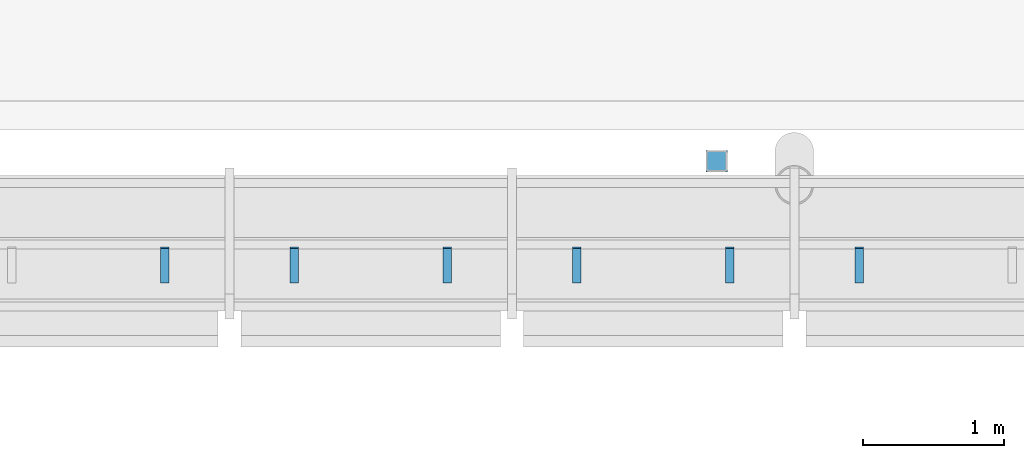
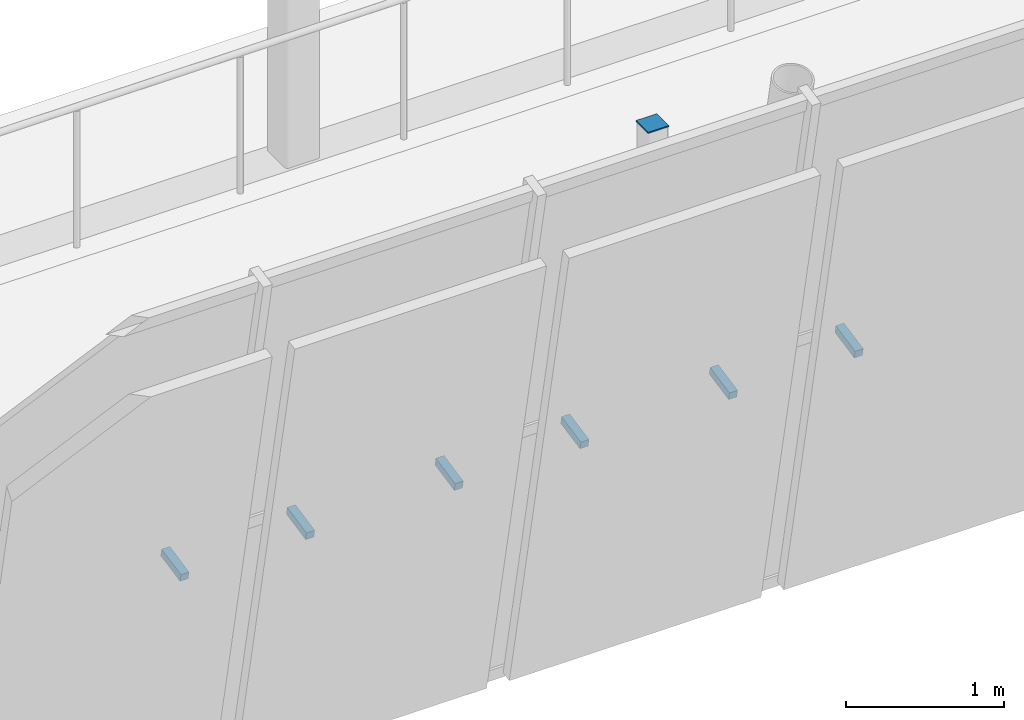
# One storey, part 83 of 115: 7 discrete accessories.
"""IFC4 building model written with IfcOpenShell, lengths in metres."""

from ifc_helpers import new_model, si_unit, direction, frame, origin, origin_2d, place, context, subcontext, project, spatial, rectangle, extrude, material, layer, layer_set, type_object, element, save


model = new_model("IFC4")

# Units and contexts
model_context = context("Model", 3, precision=1e-05, world=origin(), true_north=direction((0.0, 1.0)))
body_context = subcontext(model_context, "Body", "Model", "MODEL_VIEW")
ifc_project = project(units=[si_unit("LENGTHUNIT", "METRE"), si_unit("AREAUNIT", "SQUARE_METRE"), si_unit("VOLUMEUNIT", "CUBIC_METRE"), si_unit("PLANEANGLEUNIT", "RADIAN"), si_unit("MASSUNIT", "GRAM", prefix="KILO")], contexts=[model_context])

# Site, building, storey
site_placement = place(None, origin())
site = spatial("IfcSite", under=ifc_project, at=site_placement, CompositionType="ELEMENT")
building_placement = place(site_placement, origin())
building = spatial("IfcBuilding", under=site, at=building_placement, Name="Windward Yard Aquatics Centre", CompositionType="ELEMENT")
storey_placement = place(building_placement, frame((0.0, 0.0, 5.0)))
storey = spatial("IfcBuildingStorey", under=building, at=storey_placement, Name="L01", CompositionType="ELEMENT", Elevation=5.0)

# Discrete accessories
ifc_material = material(Name="Steel S355", Category="steel")
ifc_layer = layer(ifc_material, 0.010009765625)
ifc_layer_set = layer_set([ifc_layer], Name="End cap plate 10 mm RHS152.4x152.4x12.7")
discrete_accessory_type = type_object("IfcDiscreteAccessoryType", Name="End cap plate 10 mm RHS152.4x152.4x12.7", PredefinedType="USERDEFINED", material=ifc_layer_set)
discrete_accessory_placement = place(storey_placement, frame((131.449951171875, 26.22509765625, 3.742919921875), z_axis=(0.0, 0.0, 1.0), x_axis=(1.0, 0.0, 0.0)))
element("IfcDiscreteAccessory", 1, at=discrete_accessory_placement, inside=storey, type_object=discrete_accessory_type, Name="End cap", ObjectType="END CAP", PredefinedType="USERDEFINED", context=body_context, shape_type="SweptSolid", body=[
    extrude(rectangle(XDim=0.15234375, YDim=0.15234375, at=origin_2d()), origin(), (0.0, 0.0, 1.0), 0.010009765625),
])
for number, where, z_axis, x_axis, name in (
    (2, (127.54345703125, 25.6123046875, 2.193603515625), (0.0, -0.979936662274, -0.199309151649), (1.0, 0.0, 0.0), "Louvre bracket S L01 B13.2"),
    (3, (128.459716796875, 25.6123046875, 2.193603515625), (0.0, -0.979936662274, -0.199309151649), (1.0, 0.0, 0.0), "Louvre bracket S L01 B14.1"),
    (4, (129.543212890625, 25.6123046875, 2.193603515625), (0.0, -0.979936662274, -0.199309151649), (1.0, 0.0, 0.0), "Louvre bracket S L01 B14.2"),
    (5, (130.45947265625, 25.6123046875, 2.193603515625), (0.0, -0.979936662274, -0.199309151649), (1.0, 0.0, 0.0), "Louvre bracket S L01 B15.1"),
    (6, (131.54296875, 25.6123046875, 2.193603515625), (0.0, -0.979936662274, -0.199309151649), (1.0, 0.0, 0.0), "Louvre bracket S L01 B15.2"),
    (7, (132.459228515625, 25.6123046875, 2.193603515625), (0.0, -0.979936662274, -0.199309151649), (1.0, 0.0, 0.0), "Louvre bracket S L01 B16.1"),
):
    element("IfcDiscreteAccessory", number, at=place(storey_placement, frame(where, z_axis=z_axis, x_axis=x_axis)), inside=storey, Name=name, PredefinedType="BRACKET", context=body_context, shape_type="SweptSolid", body=[
        extrude(rectangle(XDim=0.06005859375, YDim=0.06005859375, at=origin_2d()), origin(), (0.0, 0.0, 1.0), 0.25),
    ])

save(model, "model.ifc")
